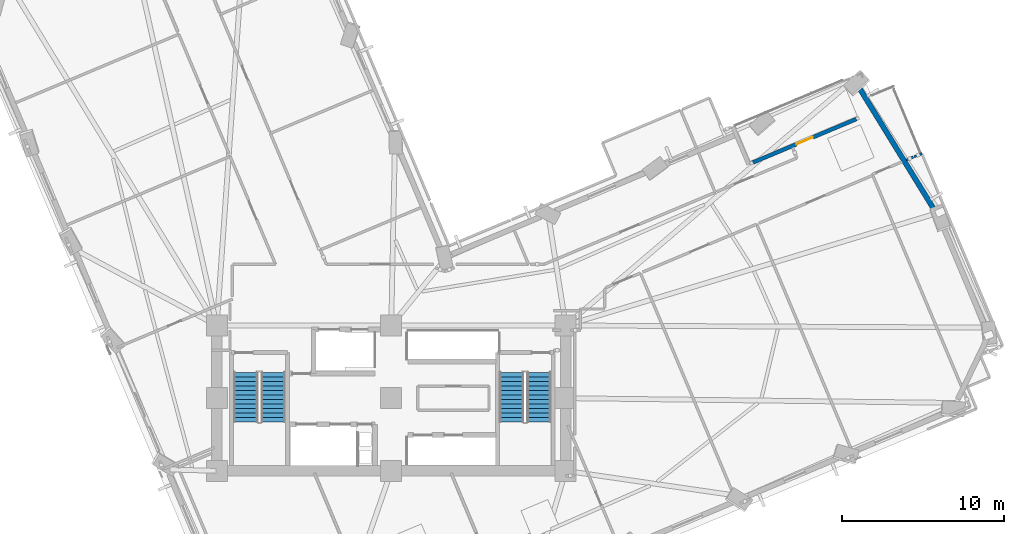
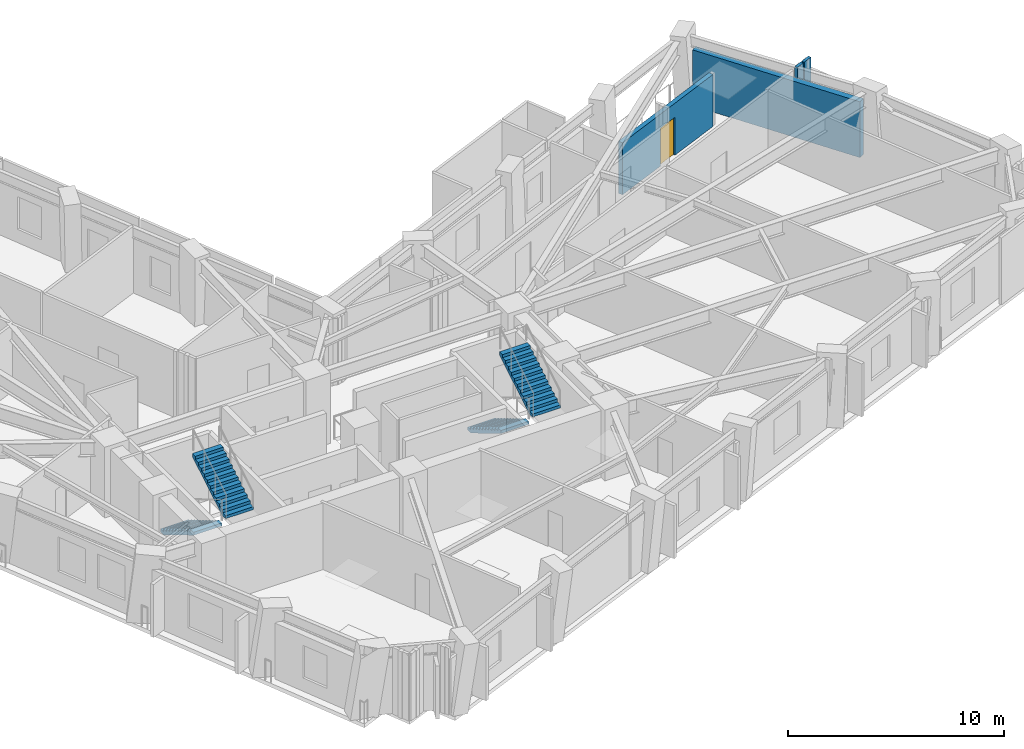
# One storey, part 14 of 18: 4 stair flights, 4 walls, 1 door, 1 opening, 2 elements without a shape of their own.
"""IFC4 building model written with IfcOpenShell, lengths in metres."""

from ifc_helpers import new_model, si_unit, direction, frame, frame_2d, origin, place, context, subcontext, project, spatial, polyline, rectangle, outline, extrude, material, layer, layer_set, type_object, element, fill, aggregate, save


model = new_model("IFC4")

# Units and contexts
model_context = context("Model", 3, precision=1e-05, world=origin(), true_north=direction((0.0, 1.0)))
body_context = subcontext(model_context, "Body", "Model", "MODEL_VIEW")
ifc_project = project(units=[si_unit("LENGTHUNIT", "METRE"), si_unit("AREAUNIT", "SQUARE_METRE"), si_unit("VOLUMEUNIT", "CUBIC_METRE"), si_unit("PLANEANGLEUNIT", "RADIAN"), si_unit("MASSUNIT", "GRAM", prefix="KILO")], contexts=[model_context])

# Site, building, storey
site_placement = place(None, origin())
site = spatial("IfcSite", under=ifc_project, at=site_placement, CompositionType="ELEMENT")
building_placement = place(site_placement, origin())
building = spatial("IfcBuilding", under=site, at=building_placement, Name="Gaonmaruhae Medical Tower", CompositionType="ELEMENT")
storey_placement = place(building_placement, frame((0.0, 0.0, 120.39990234375)))
storey = spatial("IfcBuildingStorey", under=building, at=storey_placement, Name="L28", CompositionType="ELEMENT", Elevation=120.39990234375)

# Wall, opening, door
ifc_material_1 = material(Name="Precast concrete C45/55", Category="concrete")
ifc_layer_1 = layer(ifc_material_1, 0.239990234375)
ifc_layer_set_1 = layer_set([ifc_layer_1], Name="Precast concrete C45/55")
wall_type_1 = type_object("IfcWallType", Name="EW-240 Ribbon & Shelter Insulated Precast Wall", PredefinedType="SOLIDWALL", material=ifc_layer_set_1)
wall_1_placement = place(storey_placement, frame((47.178955078125, 26.885009765625, 0.0), z_axis=(0.0, 0.0, 1.0), x_axis=(0.921869606689, 0.387500230018, 0.0)))
wall_1 = element("IfcWall", 1, at=wall_1_placement, inside=storey, type_object=wall_type_1, Name="L28 Recessed Terrace Enclosure Wall TERB", PredefinedType="SOLIDWALL", context=body_context, shape_type="SweptSolid", body=[
    extrude(rectangle(XDim=6.9599609375, YDim=0.239990234375, at=frame_2d((3.47998046875, 0.0))), origin(), (0.0, 0.0, 1.0), 2.945068359375),
])
opening_placement = place(wall_1_placement, frame((2.929931640625, 0.0, 0.0)))
opening = element("IfcOpeningElement", 2, at=opening_placement, cuts=wall_1, Name="Opening TD-01", PredefinedType="OPENING", context=body_context, shape_type="SweptSolid", body=[
    extrude(rectangle(XDim=1.10009765625, YDim=2.14990234375, at=frame_2d((0.550048828125, 1.074951171875))), frame((0.0, 0.1298828125, 0.0), z_axis=(0.0, -1.0, 0.0), x_axis=(1.0, 0.0, 0.0)), (0.0, 0.0, 1.0), 0.260009765625),
])
ifc_material_2 = material(Name="Anodised aluminium and toughened safety glass", Category="aluminium")
door_type = type_object("IfcDoorType", Name="TD-01 Terrace & Sky Garden Glazed Door 1100x2150", OperationType="NOTDEFINED", PredefinedType="DOOR", material=ifc_material_2)
door_placement = place(opening_placement, origin())
door = element("IfcDoor", 3, at=door_placement, inside=storey, type_object=door_type, Name="L28 Outdoor Terrace Access Door SLB-L28-TER", OperationType="SINGLE_SWING_RIGHT", OverallHeight=2.14990234375, OverallWidth=1.10009765625, PredefinedType="DOOR", context=body_context, shape_type="SweptSolid", body=[
    extrude(rectangle(XDim=1.10009765625, YDim=2.14990234375, at=frame_2d((0.550048828125, 1.074951171875))), frame((0.0, 0.02490234375, 0.0), z_axis=(0.0, -1.0, 0.0), x_axis=(1.0, 0.0, 0.0)), (0.0, 0.0, 1.0), 0.050048828125),
])
fill(opening, door)

# Walls
ifc_layer_2 = layer(ifc_material_1, 0.320068359375)
ifc_layer_set_2 = layer_set([ifc_layer_2], Name="Precast concrete C45/55")
wall_type_2 = type_object("IfcWallType", Name="EW-320 Lower Precast Masonry-Frame Facade Wall", PredefinedType="SOLIDWALL", material=ifc_layer_set_2)
wall_2_placement = place(storey_placement, frame((53.789794921875, 31.476318359375, 0.0), z_axis=(0.0, 0.0, 1.0), x_axis=(0.523829209883, -0.851823314352, 0.0)))
element("IfcWall", 4, at=wall_2_placement, inside=storey, type_object=wall_type_2, Name="L28 Precast Masonry-Frame Wall E02-E03", PredefinedType="SOLIDWALL", context=body_context, shape_type="SweptSolid", body=[
    extrude(rectangle(XDim=8.837646484375, YDim=0.320068359375, at=frame_2d((4.4189453125, 0.0))), origin(), (0.0, 0.0, 1.0), 3.1650390625),
])
ifc_material_3 = material(Name="Gypsum board partition", Category="gypsum")
ifc_layer_3 = layer(ifc_material_3, 0.14990234375)
ifc_layer_set_3 = layer_set([ifc_layer_3], Name="Gypsum board partition")
wall_type_3 = type_object("IfcWallType", Name="PW-150 Rated Clinical Corridor Partition", PredefinedType="PARTITIONING", material=ifc_layer_set_3)
wall_3_placement = place(storey_placement, frame((56.677978515625, 27.0380859375, 0.0), z_axis=(0.0, 0.0, 1.0), x_axis=(0.922258992791, 0.386572567853, 0.0)))
element("IfcWall", 5, at=wall_3_placement, inside=storey, type_object=wall_type_3, Name="L28 Interior Partition L28-RM02-99", PredefinedType="PARTITIONING", context=body_context, shape_type="SweptSolid", body=[
    extrude(rectangle(XDim=0.47802734375, YDim=0.14990234375, at=frame_2d((0.239013671875, 0.0))), origin(), (0.0, 0.0, 1.0), 3.780029296875),
])
wall_4_placement = place(storey_placement, frame((57.174072265625, 27.24609375, 0.0), z_axis=(0.0, 0.0, 1.0), x_axis=(0.921485012844, 0.388413917238, 0.0)))
element("IfcWall", 6, at=wall_4_placement, inside=storey, type_object=wall_type_3, Name="L28 Interior Partition L28-RM03-105", PredefinedType="PARTITIONING", context=body_context, shape_type="SweptSolid", body=[
    extrude(rectangle(XDim=0.519775390625, YDim=0.14990234375, at=frame_2d((0.259765625, 0.0))), origin(), (0.0, 0.0, 1.0), 3.780029296875),
])

# Stair, stair flights
ifc_material_4 = material(Name="Concrete C40/50", Category="concrete")
stair_type = type_object("IfcStairType", Name="ST-T1 Primary Core Escape Dogleg Stair", PredefinedType="TWO_QUARTER_TURN_STAIR", material=ifc_material_4)
stair_1_placement = place(storey_placement, origin())
stair_1 = element("IfcStair", 7, at=stair_1_placement, inside=storey, type_object=stair_type, Name="L28 Protected Escape Stair ST-01", PredefinedType="TWO_QUARTER_TURN_STAIR")
stair_flight_type = type_object("IfcStairFlightType", Name="SF-T1 Primary Core Precast Stair Flight", PredefinedType="STRAIGHT", material=ifc_material_4)
stair_flight_1_placement = place(storey_placement, frame((15.800048828125, 13.89990234375, 0.0), z_axis=(0.0, 0.0, 1.0), x_axis=(0.0, -1.0, 0.0)))
stair_flight_1 = element("IfcStairFlight", 8, at=stair_flight_1_placement, type_object=stair_flight_type, Name="ST-01 flight 1", NumberOfRisers=12, NumberOfTreads=11, PredefinedType="STRAIGHT", RiserHeight=0.166666667, TreadLength=0.28, context=body_context, shape_type="SweptSolid", body=[
    extrude(outline(polyline([(0.0, 0.0), (0.0, 0.166748046875), (0.280029296875, 0.166748046875), (0.280029296875, 0.333251953125), (0.56005859375, 0.333251953125), (0.56005859375, 0.5), (0.840087890625, 0.5), (0.840087890625, 0.666748046875), (1.1201171875, 0.666748046875), (1.1201171875, 0.833251953125), (1.39990234375, 0.833251953125), (1.39990234375, 1.0), (1.679931640625, 1.0), (1.679931640625, 1.166748046875), (1.9599609375, 1.166748046875), (1.9599609375, 1.333251953125), (2.239990234375, 1.333251953125), (2.239990234375, 1.5), (2.52001953125, 1.5), (2.52001953125, 1.666748046875), (2.800048828125, 1.666748046875), (2.800048828125, 1.833251953125), (3.080078125, 1.833251953125), (3.080078125, 2.0), (3.080078125, 1.658935546875), (0.29296875, 0.0), (0.0, 0.0)])), frame((0.0, 0.75, 0.0), z_axis=(0.0, -1.0, 0.0), x_axis=(1.0, 0.0, 0.0)), (0.0, 0.0, 1.0), 1.5),
])
stair_flight_2_placement = place(storey_placement, frame((17.5, 10.820068359375, 2.0), z_axis=(0.0, 0.0, 1.0), x_axis=(0.0, 1.0, 0.0)))
stair_flight_2 = element("IfcStairFlight", 9, at=stair_flight_2_placement, type_object=stair_flight_type, Name="ST-01 flight 2", NumberOfRisers=12, NumberOfTreads=11, PredefinedType="STRAIGHT", RiserHeight=0.166666667, TreadLength=0.28, context=body_context, shape_type="SweptSolid", body=[
    extrude(outline(polyline([(0.0, 0.0), (0.0, 0.166748046875), (0.280029296875, 0.166748046875), (0.280029296875, 0.333251953125), (0.56005859375, 0.333251953125), (0.56005859375, 0.5), (0.840087890625, 0.5), (0.840087890625, 0.666748046875), (1.1201171875, 0.666748046875), (1.1201171875, 0.833251953125), (1.39990234375, 0.833251953125), (1.39990234375, 1.0), (1.679931640625, 1.0), (1.679931640625, 1.166748046875), (1.9599609375, 1.166748046875), (1.9599609375, 1.333251953125), (2.239990234375, 1.333251953125), (2.239990234375, 1.5), (2.52001953125, 1.5), (2.52001953125, 1.666748046875), (2.800048828125, 1.666748046875), (2.800048828125, 1.833251953125), (3.080078125, 1.833251953125), (3.080078125, 2.0), (3.080078125, 1.658935546875), (0.29296875, 0.0), (0.0, 0.0)])), frame((0.0, 0.75, 0.0), z_axis=(0.0, -1.0, 0.0), x_axis=(1.0, 0.0, 0.0)), (0.0, 0.0, 1.0), 1.5),
])
aggregate(stair_1, [stair_flight_1, stair_flight_2])

stair_2_placement = place(storey_placement, origin())
stair_2 = element("IfcStair", 10, at=stair_2_placement, inside=storey, type_object=stair_type, Name="L28 Protected Escape Stair ST-02", PredefinedType="TWO_QUARTER_TURN_STAIR")
stair_flight_3_placement = place(storey_placement, frame((32.25, 13.89990234375, 0.0), z_axis=(0.0, 0.0, 1.0), x_axis=(0.0, -1.0, 0.0)))
stair_flight_3 = element("IfcStairFlight", 11, at=stair_flight_3_placement, type_object=stair_flight_type, Name="ST-02 flight 1", NumberOfRisers=12, NumberOfTreads=11, PredefinedType="STRAIGHT", RiserHeight=0.166666667, TreadLength=0.28, context=body_context, shape_type="SweptSolid", body=[
    extrude(outline(polyline([(0.0, 0.0), (0.0, 0.166748046875), (0.280029296875, 0.166748046875), (0.280029296875, 0.333251953125), (0.56005859375, 0.333251953125), (0.56005859375, 0.5), (0.840087890625, 0.5), (0.840087890625, 0.666748046875), (1.1201171875, 0.666748046875), (1.1201171875, 0.833251953125), (1.39990234375, 0.833251953125), (1.39990234375, 1.0), (1.679931640625, 1.0), (1.679931640625, 1.166748046875), (1.9599609375, 1.166748046875), (1.9599609375, 1.333251953125), (2.239990234375, 1.333251953125), (2.239990234375, 1.5), (2.52001953125, 1.5), (2.52001953125, 1.666748046875), (2.800048828125, 1.666748046875), (2.800048828125, 1.833251953125), (3.080078125, 1.833251953125), (3.080078125, 2.0), (3.080078125, 1.658935546875), (0.29296875, 0.0), (0.0, 0.0)])), frame((0.0, 0.75, 0.0), z_axis=(0.0, -1.0, 0.0), x_axis=(1.0, 0.0, 0.0)), (0.0, 0.0, 1.0), 1.5),
])
stair_flight_4_placement = place(storey_placement, frame((33.949951171875, 10.820068359375, 2.0), z_axis=(0.0, 0.0, 1.0), x_axis=(0.0, 1.0, 0.0)))
stair_flight_4 = element("IfcStairFlight", 12, at=stair_flight_4_placement, type_object=stair_flight_type, Name="ST-02 flight 2", NumberOfRisers=12, NumberOfTreads=11, PredefinedType="STRAIGHT", RiserHeight=0.166666667, TreadLength=0.28, context=body_context, shape_type="SweptSolid", body=[
    extrude(outline(polyline([(0.0, 0.0), (0.0, 0.166748046875), (0.280029296875, 0.166748046875), (0.280029296875, 0.333251953125), (0.56005859375, 0.333251953125), (0.56005859375, 0.5), (0.840087890625, 0.5), (0.840087890625, 0.666748046875), (1.1201171875, 0.666748046875), (1.1201171875, 0.833251953125), (1.39990234375, 0.833251953125), (1.39990234375, 1.0), (1.679931640625, 1.0), (1.679931640625, 1.166748046875), (1.9599609375, 1.166748046875), (1.9599609375, 1.333251953125), (2.239990234375, 1.333251953125), (2.239990234375, 1.5), (2.52001953125, 1.5), (2.52001953125, 1.666748046875), (2.800048828125, 1.666748046875), (2.800048828125, 1.833251953125), (3.080078125, 1.833251953125), (3.080078125, 2.0), (3.080078125, 1.658935546875), (0.29296875, 0.0), (0.0, 0.0)])), frame((0.0, 0.75, 0.0), z_axis=(0.0, -1.0, 0.0), x_axis=(1.0, 0.0, 0.0)), (0.0, 0.0, 1.0), 1.5),
])
aggregate(stair_2, [stair_flight_3, stair_flight_4])

save(model, "model.ifc")
